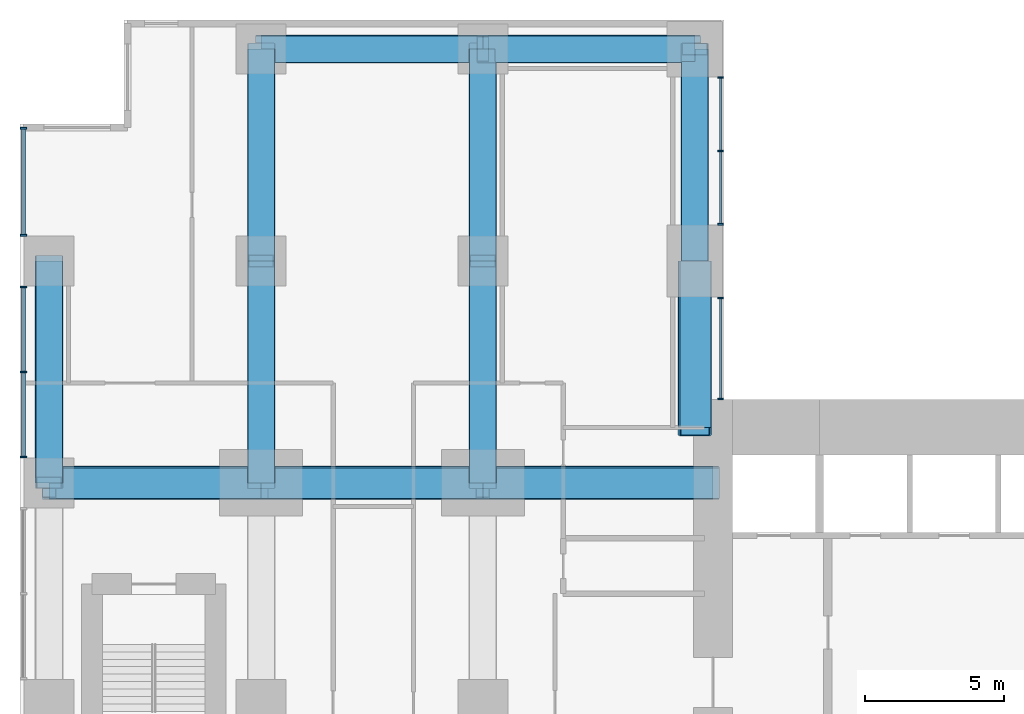
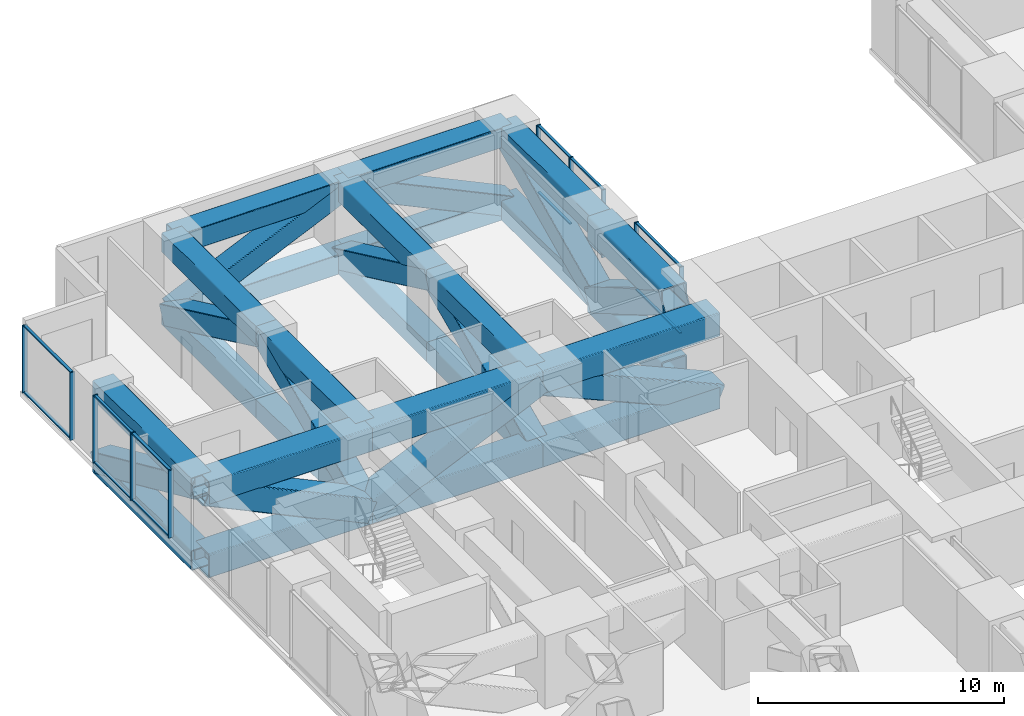
# One storey, part 5 of 14: 58 members, 4 elements without a shape of their own.
"""IFC4 building model written with IfcOpenShell, lengths in metres."""

from ifc_helpers import new_model, si_unit, direction, frame, origin, origin_2d, place, context, subcontext, project, spatial, rectangle, hollow_rectangle, extrude, material, layer, layer_set, material_profile, profile_set, type_object, element, aggregate, save


model = new_model("IFC4")

# Units and contexts
model_context = context("Model", 3, precision=1e-05, world=origin(), true_north=direction((0.0, 1.0)))
body_context = subcontext(model_context, "Body", "Model", "MODEL_VIEW")
ifc_project = project(units=[si_unit("LENGTHUNIT", "METRE"), si_unit("AREAUNIT", "SQUARE_METRE"), si_unit("VOLUMEUNIT", "CUBIC_METRE"), si_unit("PLANEANGLEUNIT", "RADIAN"), si_unit("MASSUNIT", "GRAM", prefix="KILO")], contexts=[model_context])

# Site, building, storey
site_placement = place(None, origin())
site = spatial("IfcSite", under=ifc_project, at=site_placement, CompositionType="ELEMENT")
building_placement = place(site_placement, origin())
building = spatial("IfcBuilding", under=site, at=building_placement, Name="Cleftline Residences", CompositionType="ELEMENT")
storey_placement = place(building_placement, frame((0.0, 0.0, 200.199951171875)))
storey = spatial("IfcBuildingStorey", under=building, at=storey_placement, Name="L52", CompositionType="ELEMENT", Elevation=200.199951171875)

# Members
ifc_material_1 = material(Name="Steel S355", Category="steel")
ifc_material_profile_1 = material_profile(ifc_material_1, hollow_rectangle(XDim=1.0, YDim=1.0, WallThickness=0.0400390625, InnerFilletRadius=0.0400390625, OuterFilletRadius=0.06005859375, at=origin_2d()))
ifc_profile_set_1 = profile_set([ifc_material_profile_1], Name="Steel S355")
member_type_1 = type_object("IfcMemberType", Name="BRACE BOX 1000X1000X40", PredefinedType="BRACE", material=ifc_profile_set_1)
for number, where, z_axis, x_axis, name in (
    (1, (0.35009765625, 32.0, 2.85009765625), (0.0, 0.91191733938, -0.410373934525), (0.0, 0.410373934525, 0.91191733938), "Belt truss diagonal"),
    (2, (8.0, 32.0, -0.75), (0.0, 0.91191733938, 0.410373934525), (0.0, -0.410373934525, 0.91191733938), "Belt truss diagonal"),
):
    element("IfcMember", number, at=place(storey_placement, frame(where, z_axis=z_axis, x_axis=x_axis)), inside=storey, type_object=member_type_1, Name=name, PredefinedType="BRACE", context=body_context, shape_type="SweptSolid", body=[
        extrude(hollow_rectangle(XDim=1.0, YDim=1.0, WallThickness=0.0400390625, InnerFilletRadius=0.0400390625, OuterFilletRadius=0.06005859375, at=origin_2d()), origin(), (0.0, 0.0, 1.0), 8.772705078125),
    ])
member_1_placement = place(storey_placement, frame((8.0, 40.0, 2.85009765625), z_axis=(0.0, 0.904812157874, -0.425810942746), x_axis=(0.0, 0.425810942746, 0.904812157874)))
element("IfcMember", 3, at=member_1_placement, inside=storey, type_object=member_type_1, Name="Belt truss diagonal", PredefinedType="BRACE", context=body_context, shape_type="SweptSolid", body=[
    extrude(hollow_rectangle(XDim=1.0, YDim=1.0, WallThickness=0.0400390625, InnerFilletRadius=0.0400390625, OuterFilletRadius=0.06005859375, at=origin_2d()), origin(), (0.0, 0.0, 1.0), 8.45458984375),
])
member_2_placement = place(storey_placement, frame((16.0, 32.0, -0.75), z_axis=(0.0, 0.91191733938, 0.410373934525), x_axis=(0.0, -0.410373934525, 0.91191733938)))
element("IfcMember", 4, at=member_2_placement, inside=storey, type_object=member_type_1, Name="Belt truss diagonal", PredefinedType="BRACE", context=body_context, shape_type="SweptSolid", body=[
    extrude(hollow_rectangle(XDim=1.0, YDim=1.0, WallThickness=0.0400390625, InnerFilletRadius=0.0400390625, OuterFilletRadius=0.06005859375, at=origin_2d()), origin(), (0.0, 0.0, 1.0), 8.772705078125),
])
for number, where, z_axis, x_axis, name in (
    (5, (16.0, 40.0, 2.85009765625), (0.0, 0.904812157874, -0.425810942746), (0.0, 0.425810942746, 0.904812157874), "Belt truss diagonal"),
    (6, (23.64990234375, 40.0, -0.75), (0.0, 0.904812157874, 0.425810942746), (0.0, -0.425810942746, 0.904812157874), "Belt truss diagonal"),
):
    element("IfcMember", number, at=place(storey_placement, frame(where, z_axis=z_axis, x_axis=x_axis)), inside=storey, type_object=member_type_1, Name=name, PredefinedType="BRACE", context=body_context, shape_type="SweptSolid", body=[
        extrude(hollow_rectangle(XDim=1.0, YDim=1.0, WallThickness=0.0400390625, InnerFilletRadius=0.0400390625, OuterFilletRadius=0.06005859375, at=origin_2d()), origin(), (0.0, 0.0, 1.0), 8.45458984375),
    ])
member_3_placement = place(storey_placement, frame((8.0, 47.64990234375, -0.75), z_axis=(0.91191733938, 0.0, 0.410373934525), x_axis=(-0.410373934525, 0.0, 0.91191733938)))
element("IfcMember", 7, at=member_3_placement, inside=storey, type_object=member_type_1, Name="Belt truss diagonal", PredefinedType="BRACE", context=body_context, shape_type="SweptSolid", body=[
    extrude(hollow_rectangle(XDim=1.0, YDim=1.0, WallThickness=0.0400390625, InnerFilletRadius=0.0400390625, OuterFilletRadius=0.06005859375, at=origin_2d()), origin(), (0.0, 0.0, 1.0), 8.772705078125),
])
member_4_placement = place(storey_placement, frame((16.0, 47.64990234375, 2.85009765625), z_axis=(0.904812157874, 0.0, -0.425810942746), x_axis=(0.425810942746, 0.0, 0.904812157874)))
element("IfcMember", 8, at=member_4_placement, inside=storey, type_object=member_type_1, Name="Belt truss diagonal", PredefinedType="BRACE", context=body_context, shape_type="SweptSolid", body=[
    extrude(hollow_rectangle(XDim=1.0, YDim=1.0, WallThickness=0.0400390625, InnerFilletRadius=0.0400390625, OuterFilletRadius=0.06005859375, at=origin_2d()), origin(), (0.0, 0.0, 1.0), 8.45458984375),
])
ifc_material_2 = material(Name="Steel S355", Category="steel")
ifc_material_profile_2 = material_profile(ifc_material_2, hollow_rectangle(XDim=1.199951171875, YDim=1.199951171875, WallThickness=0.06005859375, InnerFilletRadius=0.06005859375, OuterFilletRadius=0.090087890625, at=origin_2d()))
ifc_profile_set_2 = profile_set([ifc_material_profile_2], Name="Steel S355")
member_type_2 = type_object("IfcMemberType", Name="BRACE BOX 1200X1200X60", PredefinedType="BRACE", material=ifc_profile_set_2)
member_5_placement = place(storey_placement, frame((24.300048828125, 32.0, -0.849853515625), z_axis=(-0.917427920438, 0.0, 0.397902011556), x_axis=(0.397902011556, 0.0, 0.917427920438)))
element("IfcMember", 9, at=member_5_placement, inside=storey, type_object=member_type_2, Name="Outrigger truss diagonal", PredefinedType="BRACE", context=body_context, shape_type="SweptSolid", body=[
    extrude(hollow_rectangle(XDim=1.199951171875, YDim=1.199951171875, WallThickness=0.06005859375, InnerFilletRadius=0.06005859375, OuterFilletRadius=0.090087890625, at=origin_2d()), origin(), (0.0, 0.0, 1.0), 9.047119140625),
])
member_6_placement = place(storey_placement, frame((16.0, 32.0, 2.75), z_axis=(-0.911927753762, 0.0, -0.410350791297), x_axis=(-0.410350791297, 0.0, 0.911927753762)))
element("IfcMember", 10, at=member_6_placement, inside=storey, type_object=member_type_2, Name="Outrigger truss diagonal", PredefinedType="BRACE", context=body_context, shape_type="SweptSolid", body=[
    extrude(hollow_rectangle(XDim=1.199951171875, YDim=1.199951171875, WallThickness=0.06005859375, InnerFilletRadius=0.06005859375, OuterFilletRadius=0.090087890625, at=origin_2d()), origin(), (0.0, 0.0, 1.0), 8.772705078125),
])
member_7_placement = place(storey_placement, frame((8.0, 32.0, -0.849853515625), z_axis=(-0.904823283159, 0.0, 0.425787301659), x_axis=(0.425787301659, 0.0, 0.904823283159)))
element("IfcMember", 11, at=member_7_placement, inside=storey, type_object=member_type_2, Name="Outrigger truss diagonal", PredefinedType="BRACE", context=body_context, shape_type="SweptSolid", body=[
    extrude(hollow_rectangle(XDim=1.199951171875, YDim=1.199951171875, WallThickness=0.06005859375, InnerFilletRadius=0.06005859375, OuterFilletRadius=0.090087890625, at=origin_2d()), origin(), (0.0, 0.0, 1.0), 8.45458984375),
])
member_8_placement = place(storey_placement, frame((23.64990234375, 40.0, -0.849853515625), z_axis=(0.0, -0.857502161653, 0.51448036188), x_axis=(0.0, 0.51448036188, 0.857502161653)))
element("IfcMember", 12, at=member_8_placement, inside=storey, type_object=member_type_2, Name="Outrigger truss diagonal", PredefinedType="BRACE", context=body_context, shape_type="SweptSolid", body=[
    extrude(hollow_rectangle(XDim=1.199951171875, YDim=1.199951171875, WallThickness=0.06005859375, InnerFilletRadius=0.06005859375, OuterFilletRadius=0.090087890625, at=origin_2d()), origin(), (0.0, 0.0, 1.0), 6.9970703125),
])
ifc_material_3 = material(Name="Steel S355", Category="steel")
ifc_material_profile_3 = material_profile(ifc_material_3, hollow_rectangle(XDim=1.0, YDim=1.0, WallThickness=0.0400390625, InnerFilletRadius=0.0400390625, OuterFilletRadius=0.06005859375, at=origin_2d()))
ifc_profile_set_3 = profile_set([ifc_material_profile_3], Name="Steel S355")
member_type_3 = type_object("IfcMemberType", Name="CHORD BOX 1000X1000X40", PredefinedType="CHORD", material=ifc_profile_set_3)
for number, where, z_axis, x_axis, name in (
    (13, (0.35009765625, 32.0, -0.75), (0.0, 1.0, 0.0), (-1.0, 0.0, 0.0), "Belt truss bottom chord"),
    (14, (0.35009765625, 32.0, 2.85009765625), (0.0, 1.0, 0.0), (-1.0, 0.0, 0.0), "Belt truss top chord"),
    (15, (8.0, 32.0, -0.75), (0.0, 1.0, 0.0), (-1.0, 0.0, 0.0), "Belt truss bottom chord"),
    (16, (8.0, 32.0, 2.85009765625), (0.0, 1.0, 0.0), (-1.0, 0.0, 0.0), "Belt truss top chord"),
):
    element("IfcMember", number, at=place(storey_placement, frame(where, z_axis=z_axis, x_axis=x_axis)), inside=storey, type_object=member_type_3, Name=name, PredefinedType="CHORD", context=body_context, shape_type="SweptSolid", body=[
        extrude(hollow_rectangle(XDim=1.0, YDim=1.0, WallThickness=0.0400390625, InnerFilletRadius=0.0400390625, OuterFilletRadius=0.06005859375, at=origin_2d()), origin(), (0.0, 0.0, 1.0), 8.0),
    ])
for number, where, z_axis, x_axis, name in (
    (17, (8.0, 40.0, -0.75), (0.0, 1.0, 0.0), (-1.0, 0.0, 0.0), "Belt truss bottom chord"),
    (18, (8.0, 40.0, 2.85009765625), (0.0, 1.0, 0.0), (-1.0, 0.0, 0.0), "Belt truss top chord"),
):
    element("IfcMember", number, at=place(storey_placement, frame(where, z_axis=z_axis, x_axis=x_axis)), inside=storey, type_object=member_type_3, Name=name, PredefinedType="CHORD", context=body_context, shape_type="SweptSolid", body=[
        extrude(hollow_rectangle(XDim=1.0, YDim=1.0, WallThickness=0.0400390625, InnerFilletRadius=0.0400390625, OuterFilletRadius=0.06005859375, at=origin_2d()), origin(), (0.0, 0.0, 1.0), 7.64990234375),
    ])
for number, where, z_axis, x_axis, name in (
    (19, (16.0, 32.0, -0.75), (0.0, 1.0, 0.0), (-1.0, 0.0, 0.0), "Belt truss bottom chord"),
    (20, (16.0, 32.0, 2.85009765625), (0.0, 1.0, 0.0), (-1.0, 0.0, 0.0), "Belt truss top chord"),
):
    element("IfcMember", number, at=place(storey_placement, frame(where, z_axis=z_axis, x_axis=x_axis)), inside=storey, type_object=member_type_3, Name=name, PredefinedType="CHORD", context=body_context, shape_type="SweptSolid", body=[
        extrude(hollow_rectangle(XDim=1.0, YDim=1.0, WallThickness=0.0400390625, InnerFilletRadius=0.0400390625, OuterFilletRadius=0.06005859375, at=origin_2d()), origin(), (0.0, 0.0, 1.0), 8.0),
    ])
for number, where, z_axis, x_axis, name in (
    (21, (16.0, 40.0, -0.75), (0.0, 1.0, 0.0), (-1.0, 0.0, 0.0), "Belt truss bottom chord"),
    (22, (16.0, 40.0, 2.85009765625), (0.0, 1.0, 0.0), (-1.0, 0.0, 0.0), "Belt truss top chord"),
    (23, (23.64990234375, 40.0, -0.75), (0.0, 1.0, 0.0), (-1.0, 0.0, 0.0), "Belt truss bottom chord"),
    (24, (23.64990234375, 40.0, 2.85009765625), (0.0, 1.0, 0.0), (-1.0, 0.0, 0.0), "Belt truss top chord"),
):
    element("IfcMember", number, at=place(storey_placement, frame(where, z_axis=z_axis, x_axis=x_axis)), inside=storey, type_object=member_type_3, Name=name, PredefinedType="CHORD", context=body_context, shape_type="SweptSolid", body=[
        extrude(hollow_rectangle(XDim=1.0, YDim=1.0, WallThickness=0.0400390625, InnerFilletRadius=0.0400390625, OuterFilletRadius=0.06005859375, at=origin_2d()), origin(), (0.0, 0.0, 1.0), 7.64990234375),
    ])
for number, where, z_axis, x_axis, name in (
    (25, (8.0, 47.64990234375, -0.75), (1.0, 0.0, 0.0), (0.0, 1.0, 0.0), "Belt truss bottom chord"),
    (26, (8.0, 47.64990234375, 2.85009765625), (1.0, 0.0, 0.0), (0.0, 1.0, 0.0), "Belt truss top chord"),
):
    element("IfcMember", number, at=place(storey_placement, frame(where, z_axis=z_axis, x_axis=x_axis)), inside=storey, type_object=member_type_3, Name=name, PredefinedType="CHORD", context=body_context, shape_type="SweptSolid", body=[
        extrude(hollow_rectangle(XDim=1.0, YDim=1.0, WallThickness=0.0400390625, InnerFilletRadius=0.0400390625, OuterFilletRadius=0.06005859375, at=origin_2d()), origin(), (0.0, 0.0, 1.0), 8.0),
    ])
for number, where, z_axis, x_axis, name in (
    (27, (16.0, 47.64990234375, -0.75), (1.0, 0.0, 0.0), (0.0, 1.0, 0.0), "Belt truss bottom chord"),
    (28, (16.0, 47.64990234375, 2.85009765625), (1.0, 0.0, 0.0), (0.0, 1.0, 0.0), "Belt truss top chord"),
):
    element("IfcMember", number, at=place(storey_placement, frame(where, z_axis=z_axis, x_axis=x_axis)), inside=storey, type_object=member_type_3, Name=name, PredefinedType="CHORD", context=body_context, shape_type="SweptSolid", body=[
        extrude(hollow_rectangle(XDim=1.0, YDim=1.0, WallThickness=0.0400390625, InnerFilletRadius=0.0400390625, OuterFilletRadius=0.06005859375, at=origin_2d()), origin(), (0.0, 0.0, 1.0), 7.64990234375),
    ])
ifc_material_4 = material(Name="Steel S355", Category="steel")
ifc_material_profile_4 = material_profile(ifc_material_4, hollow_rectangle(XDim=1.199951171875, YDim=1.199951171875, WallThickness=0.06005859375, InnerFilletRadius=0.06005859375, OuterFilletRadius=0.090087890625, at=origin_2d()))
ifc_profile_set_4 = profile_set([ifc_material_profile_4], Name="Steel S355")
member_type_4 = type_object("IfcMemberType", Name="CHORD BOX 1200X1200X60", PredefinedType="CHORD", material=ifc_profile_set_4)
for number, where, z_axis, x_axis, name in (
    (29, (24.300048828125, 32.0, -0.849853515625), (-1.0, 0.0, 0.0), (0.0, -1.0, 0.0), "Outrigger truss bottom chord"),
    (30, (24.300048828125, 32.0, 2.75), (-1.0, 0.0, 0.0), (0.0, -1.0, 0.0), "Outrigger truss top chord"),
):
    element("IfcMember", number, at=place(storey_placement, frame(where, z_axis=z_axis, x_axis=x_axis)), inside=storey, type_object=member_type_4, Name=name, PredefinedType="CHORD", context=body_context, shape_type="SweptSolid", body=[
        extrude(hollow_rectangle(XDim=1.199951171875, YDim=1.199951171875, WallThickness=0.06005859375, InnerFilletRadius=0.06005859375, OuterFilletRadius=0.090087890625, at=origin_2d()), origin(), (0.0, 0.0, 1.0), 8.300048828125),
    ])
for number, where, z_axis, x_axis, name in (
    (31, (16.0, 32.0, -0.849853515625), (-1.0, 0.0, 0.0), (0.0, -1.0, 0.0), "Outrigger truss bottom chord"),
    (32, (16.0, 32.0, 2.75), (-1.0, 0.0, 0.0), (0.0, -1.0, 0.0), "Outrigger truss top chord"),
):
    element("IfcMember", number, at=place(storey_placement, frame(where, z_axis=z_axis, x_axis=x_axis)), inside=storey, type_object=member_type_4, Name=name, PredefinedType="CHORD", context=body_context, shape_type="SweptSolid", body=[
        extrude(hollow_rectangle(XDim=1.199951171875, YDim=1.199951171875, WallThickness=0.06005859375, InnerFilletRadius=0.06005859375, OuterFilletRadius=0.090087890625, at=origin_2d()), origin(), (0.0, 0.0, 1.0), 8.0),
    ])
for number, where, z_axis, x_axis, name in (
    (33, (8.0, 32.0, -0.849853515625), (-1.0, 0.0, 0.0), (0.0, -1.0, 0.0), "Outrigger truss bottom chord"),
    (34, (8.0, 32.0, 2.75), (-1.0, 0.0, 0.0), (0.0, -1.0, 0.0), "Outrigger truss top chord"),
):
    element("IfcMember", number, at=place(storey_placement, frame(where, z_axis=z_axis, x_axis=x_axis)), inside=storey, type_object=member_type_4, Name=name, PredefinedType="CHORD", context=body_context, shape_type="SweptSolid", body=[
        extrude(hollow_rectangle(XDim=1.199951171875, YDim=1.199951171875, WallThickness=0.06005859375, InnerFilletRadius=0.06005859375, OuterFilletRadius=0.090087890625, at=origin_2d()), origin(), (0.0, 0.0, 1.0), 7.64990234375),
    ])
for number, where, z_axis, x_axis, name in (
    (35, (23.64990234375, 40.0, -0.849853515625), (0.0, -1.0, 0.0), (1.0, 0.0, 0.0), "Outrigger truss bottom chord"),
    (36, (23.64990234375, 40.0, 2.75), (0.0, -1.0, 0.0), (1.0, 0.0, 0.0), "Outrigger truss top chord"),
):
    element("IfcMember", number, at=place(storey_placement, frame(where, z_axis=z_axis, x_axis=x_axis)), inside=storey, type_object=member_type_4, Name=name, PredefinedType="CHORD", context=body_context, shape_type="SweptSolid", body=[
        extrude(hollow_rectangle(XDim=1.199951171875, YDim=1.199951171875, WallThickness=0.06005859375, InnerFilletRadius=0.06005859375, OuterFilletRadius=0.090087890625, at=origin_2d()), origin(), (0.0, 0.0, 1.0), 6.0),
    ])

# Curtain wall, members
ifc_material_5 = material(Name="Aluminium framed curtain wall", Category="aluminium")
ifc_layer_1 = layer(ifc_material_5, 0.199951171875)
ifc_layer_set_1 = layer_set([ifc_layer_1], Name="CW1 CLEFT GLAZING")
curtain_wall_type_1 = type_object("IfcCurtainWallType", Name="CW1 CLEFT GLAZING", PredefinedType="NOTDEFINED", material=ifc_layer_set_1)
curtain_wall_1_placement = place(storey_placement, origin())
curtain_wall_1 = element("IfcCurtainWall", 37, at=curtain_wall_1_placement, inside=storey, type_object=curtain_wall_type_1, Name="Curtain wall CW1", PredefinedType="NOTDEFINED")
ifc_material_6 = material(Name="Aluminium mullion", Category="aluminium")
ifc_material_profile_5 = material_profile(ifc_material_6, rectangle(XDim=0.199951171875, YDim=0.06005859375, at=origin_2d()))
ifc_profile_set_5 = profile_set([ifc_material_profile_5], Name="Aluminium mullion")
member_type_5 = type_object("IfcMemberType", Name="CW1 MULLION", PredefinedType="MULLION", material=ifc_profile_set_5)
member_9_placement = place(storey_placement, frame((24.574951171875, 35.030029296875, 0.0), z_axis=(0.0, 0.0, 1.0), x_axis=(-1.0, 0.0, 0.0)))
member_9 = element("IfcMember", 38, at=member_9_placement, type_object=member_type_5, Name="CW1 mullion 1", PredefinedType="MULLION", context=body_context, shape_type="SweptSolid", body=[
    extrude(rectangle(XDim=0.199951171875, YDim=0.06005859375, at=origin_2d()), origin(), (0.0, 0.0, 1.0), 3.35009765625),
])
member_10_placement = place(storey_placement, frame((24.574951171875, 38.669921875, 0.0), z_axis=(0.0, 0.0, 1.0), x_axis=(-1.0, 0.0, 0.0)))
member_10 = element("IfcMember", 39, at=member_10_placement, type_object=member_type_5, Name="CW1 mullion 2", PredefinedType="MULLION", context=body_context, shape_type="SweptSolid", body=[
    extrude(rectangle(XDim=0.199951171875, YDim=0.06005859375, at=origin_2d()), origin(), (0.0, 0.0, 1.0), 3.35009765625),
])

curtain_wall_2_placement = place(storey_placement, origin())
curtain_wall_2 = element("IfcCurtainWall", 40, at=curtain_wall_2_placement, inside=storey, type_object=curtain_wall_type_1, Name="Curtain wall CW1", PredefinedType="NOTDEFINED")
member_11_placement = place(storey_placement, frame((24.574951171875, 41.330078125, 0.0), z_axis=(0.0, 0.0, 1.0), x_axis=(-1.0, 0.0, 0.0)))
member_11 = element("IfcMember", 41, at=member_11_placement, type_object=member_type_5, Name="CW1 mullion 1", PredefinedType="MULLION", context=body_context, shape_type="SweptSolid", body=[
    extrude(rectangle(XDim=0.199951171875, YDim=0.06005859375, at=origin_2d()), origin(), (0.0, 0.0, 1.0), 3.35009765625),
])
member_12_placement = place(storey_placement, frame((24.574951171875, 43.97509765625, 0.0), z_axis=(0.0, 0.0, 1.0), x_axis=(-1.0, 0.0, 0.0)))
member_12 = element("IfcMember", 42, at=member_12_placement, type_object=member_type_5, Name="CW1 mullion 2", PredefinedType="MULLION", context=body_context, shape_type="SweptSolid", body=[
    extrude(rectangle(XDim=0.199951171875, YDim=0.06005859375, at=origin_2d()), origin(), (0.0, 0.0, 1.0), 3.35009765625),
])
member_13_placement = place(storey_placement, frame((24.574951171875, 46.6201171875, 0.0), z_axis=(0.0, 0.0, 1.0), x_axis=(-1.0, 0.0, 0.0)))
member_13 = element("IfcMember", 43, at=member_13_placement, type_object=member_type_5, Name="CW1 mullion 3", PredefinedType="MULLION", context=body_context, shape_type="SweptSolid", body=[
    extrude(rectangle(XDim=0.199951171875, YDim=0.06005859375, at=origin_2d()), origin(), (0.0, 0.0, 1.0), 3.35009765625),
])

# Member
ifc_material_7 = material(Name="Aluminium transom", Category="aluminium")
ifc_material_profile_6 = material_profile(ifc_material_7, rectangle(XDim=0.1201171875, YDim=0.06005859375, at=origin_2d()))
ifc_profile_set_6 = profile_set([ifc_material_profile_6], Name="Aluminium transom")
member_type_6 = type_object("IfcMemberType", Name="CW1 TRANSOM", PredefinedType="USERDEFINED", material=ifc_profile_set_6)
member_14_placement = place(storey_placement, frame((24.574951171875, 35.06005859375, 0.030029296875), z_axis=(0.0, 1.0, 0.0), x_axis=(-1.0, 0.0, 0.0)))
member_14 = element("IfcMember", 44, at=member_14_placement, type_object=member_type_6, Name="CW1 transom 1.1", ObjectType="TRANSOM", PredefinedType="USERDEFINED", context=body_context, shape_type="SweptSolid", body=[
    extrude(rectangle(XDim=0.1201171875, YDim=0.06005859375, at=origin_2d()), origin(), (0.0, 0.0, 1.0), 3.579833984375),
])

member_15_placement = place(storey_placement, frame((24.574951171875, 35.06005859375, 3.320068359375), z_axis=(0.0, 1.0, 0.0), x_axis=(-1.0, 0.0, 0.0)))
member_15 = element("IfcMember", 45, at=member_15_placement, type_object=member_type_6, Name="CW1 transom 1.2", ObjectType="TRANSOM", PredefinedType="USERDEFINED", context=body_context, shape_type="SweptSolid", body=[
    extrude(rectangle(XDim=0.1201171875, YDim=0.06005859375, at=origin_2d()), origin(), (0.0, 0.0, 1.0), 3.579833984375),
])

aggregate(curtain_wall_1, [member_9, member_10, member_14, member_15])

member_16_placement = place(storey_placement, frame((24.574951171875, 41.360107421875, 0.030029296875), z_axis=(0.0, 1.0, 0.0), x_axis=(-1.0, 0.0, 0.0)))
member_16 = element("IfcMember", 46, at=member_16_placement, type_object=member_type_6, Name="CW1 transom 1.1", ObjectType="TRANSOM", PredefinedType="USERDEFINED", context=body_context, shape_type="SweptSolid", body=[
    extrude(rectangle(XDim=0.1201171875, YDim=0.06005859375, at=origin_2d()), origin(), (0.0, 0.0, 1.0), 2.5849609375),
])

member_17_placement = place(storey_placement, frame((24.574951171875, 41.360107421875, 3.320068359375), z_axis=(0.0, 1.0, 0.0), x_axis=(-1.0, 0.0, 0.0)))
member_17 = element("IfcMember", 47, at=member_17_placement, type_object=member_type_6, Name="CW1 transom 1.2", ObjectType="TRANSOM", PredefinedType="USERDEFINED", context=body_context, shape_type="SweptSolid", body=[
    extrude(rectangle(XDim=0.1201171875, YDim=0.06005859375, at=origin_2d()), origin(), (0.0, 0.0, 1.0), 2.5849609375),
])

member_18_placement = place(storey_placement, frame((24.574951171875, 44.0048828125, 0.030029296875), z_axis=(0.0, 1.0, 0.0), x_axis=(-1.0, 0.0, 0.0)))
member_18 = element("IfcMember", 48, at=member_18_placement, type_object=member_type_6, Name="CW1 transom 2.1", ObjectType="TRANSOM", PredefinedType="USERDEFINED", context=body_context, shape_type="SweptSolid", body=[
    extrude(rectangle(XDim=0.1201171875, YDim=0.06005859375, at=origin_2d()), origin(), (0.0, 0.0, 1.0), 2.585205078125),
])

member_19_placement = place(storey_placement, frame((24.574951171875, 44.0048828125, 3.320068359375), z_axis=(0.0, 1.0, 0.0), x_axis=(-1.0, 0.0, 0.0)))
member_19 = element("IfcMember", 49, at=member_19_placement, type_object=member_type_6, Name="CW1 transom 2.2", ObjectType="TRANSOM", PredefinedType="USERDEFINED", context=body_context, shape_type="SweptSolid", body=[
    extrude(rectangle(XDim=0.1201171875, YDim=0.06005859375, at=origin_2d()), origin(), (0.0, 0.0, 1.0), 2.585205078125),
])

aggregate(curtain_wall_2, [member_11, member_12, member_13, member_16, member_17, member_18, member_19])

# Curtain wall, members
ifc_material_8 = material(Name="Aluminium framed curtain wall", Category="aluminium")
ifc_layer_2 = layer(ifc_material_8, 0.199951171875)
ifc_layer_set_2 = layer_set([ifc_layer_2], Name="CW4 SKY LOUNGE GLAZING")
curtain_wall_type_2 = type_object("IfcCurtainWallType", Name="CW4 SKY LOUNGE GLAZING", PredefinedType="NOTDEFINED", material=ifc_layer_set_2)
curtain_wall_3_placement = place(storey_placement, origin())
curtain_wall_3 = element("IfcCurtainWall", 50, at=curtain_wall_3_placement, inside=storey, type_object=curtain_wall_type_2, Name="Curtain wall CW4", PredefinedType="NOTDEFINED")
ifc_material_9 = material(Name="Aluminium mullion", Category="aluminium")
ifc_material_profile_7 = material_profile(ifc_material_9, rectangle(XDim=0.219970703125, YDim=0.06494140625, at=origin_2d()))
ifc_profile_set_7 = profile_set([ifc_material_profile_7], Name="Aluminium mullion")
member_type_7 = type_object("IfcMemberType", Name="CW4 MULLION", PredefinedType="MULLION", material=ifc_profile_set_7)
member_20_placement = place(storey_placement, frame((-0.574951171875, 44.79248046875, 0.0), z_axis=(0.0, 0.0, 1.0), x_axis=(1.0, 0.0, 0.0)))
member_20 = element("IfcMember", 51, at=member_20_placement, type_object=member_type_7, Name="CW4 mullion 1", PredefinedType="MULLION", context=body_context, shape_type="SweptSolid", body=[
    extrude(rectangle(XDim=0.219970703125, YDim=0.06494140625, at=origin_2d()), origin(), (0.0, 0.0, 1.0), 3.35009765625),
])
member_21_placement = place(storey_placement, frame((-0.574951171875, 40.9326171875, 0.0), z_axis=(0.0, 0.0, 1.0), x_axis=(1.0, 0.0, 0.0)))
member_21 = element("IfcMember", 52, at=member_21_placement, type_object=member_type_7, Name="CW4 mullion 2", PredefinedType="MULLION", context=body_context, shape_type="SweptSolid", body=[
    extrude(rectangle(XDim=0.219970703125, YDim=0.06494140625, at=origin_2d()), origin(), (0.0, 0.0, 1.0), 3.35009765625),
])

curtain_wall_4_placement = place(storey_placement, origin())
curtain_wall_4 = element("IfcCurtainWall", 53, at=curtain_wall_4_placement, inside=storey, type_object=curtain_wall_type_2, Name="Curtain wall CW4", PredefinedType="NOTDEFINED")
member_22_placement = place(storey_placement, frame((-0.574951171875, 39.0673828125, 0.0), z_axis=(0.0, 0.0, 1.0), x_axis=(1.0, 0.0, 0.0)))
member_22 = element("IfcMember", 54, at=member_22_placement, type_object=member_type_7, Name="CW4 mullion 1", PredefinedType="MULLION", context=body_context, shape_type="SweptSolid", body=[
    extrude(rectangle(XDim=0.219970703125, YDim=0.06494140625, at=origin_2d()), origin(), (0.0, 0.0, 1.0), 3.35009765625),
])
member_23_placement = place(storey_placement, frame((-0.574951171875, 36.0, 0.0), z_axis=(0.0, 0.0, 1.0), x_axis=(1.0, 0.0, 0.0)))
member_23 = element("IfcMember", 55, at=member_23_placement, type_object=member_type_7, Name="CW4 mullion 2", PredefinedType="MULLION", context=body_context, shape_type="SweptSolid", body=[
    extrude(rectangle(XDim=0.219970703125, YDim=0.06494140625, at=origin_2d()), origin(), (0.0, 0.0, 1.0), 3.35009765625),
])
member_24_placement = place(storey_placement, frame((-0.574951171875, 32.9326171875, 0.0), z_axis=(0.0, 0.0, 1.0), x_axis=(1.0, 0.0, 0.0)))
member_24 = element("IfcMember", 56, at=member_24_placement, type_object=member_type_7, Name="CW4 mullion 3", PredefinedType="MULLION", context=body_context, shape_type="SweptSolid", body=[
    extrude(rectangle(XDim=0.219970703125, YDim=0.06494140625, at=origin_2d()), origin(), (0.0, 0.0, 1.0), 3.35009765625),
])

# Member
ifc_material_10 = material(Name="Aluminium transom", Category="aluminium")
ifc_material_profile_8 = material_profile(ifc_material_10, rectangle(XDim=0.132080078125, YDim=0.06494140625, at=origin_2d()))
ifc_profile_set_8 = profile_set([ifc_material_profile_8], Name="Aluminium transom")
member_type_8 = type_object("IfcMemberType", Name="CW4 TRANSOM", PredefinedType="USERDEFINED", material=ifc_profile_set_8)
member_25_placement = place(storey_placement, frame((-0.574951171875, 44.760009765625, 0.032470703125), z_axis=(0.0, -1.0, 0.0), x_axis=(1.0, 0.0, 0.0)))
member_25 = element("IfcMember", 57, at=member_25_placement, type_object=member_type_8, Name="CW4 transom 1.1", ObjectType="TRANSOM", PredefinedType="USERDEFINED", context=body_context, shape_type="SweptSolid", body=[
    extrude(rectangle(XDim=0.132080078125, YDim=0.06494140625, at=origin_2d()), origin(), (0.0, 0.0, 1.0), 3.794921875),
])

member_26_placement = place(storey_placement, frame((-0.574951171875, 44.760009765625, 3.317626953125), z_axis=(0.0, -1.0, 0.0), x_axis=(1.0, 0.0, 0.0)))
member_26 = element("IfcMember", 58, at=member_26_placement, type_object=member_type_8, Name="CW4 transom 1.2", ObjectType="TRANSOM", PredefinedType="USERDEFINED", context=body_context, shape_type="SweptSolid", body=[
    extrude(rectangle(XDim=0.132080078125, YDim=0.06494140625, at=origin_2d()), origin(), (0.0, 0.0, 1.0), 3.794921875),
])

aggregate(curtain_wall_3, [member_20, member_21, member_25, member_26])

member_27_placement = place(storey_placement, frame((-0.574951171875, 39.034912109375, 0.032470703125), z_axis=(0.0, -1.0, 0.0), x_axis=(1.0, 0.0, 0.0)))
member_27 = element("IfcMember", 59, at=member_27_placement, type_object=member_type_8, Name="CW4 transom 1.1", ObjectType="TRANSOM", PredefinedType="USERDEFINED", context=body_context, shape_type="SweptSolid", body=[
    extrude(rectangle(XDim=0.132080078125, YDim=0.06494140625, at=origin_2d()), origin(), (0.0, 0.0, 1.0), 3.00244140625),
])

member_28_placement = place(storey_placement, frame((-0.574951171875, 39.034912109375, 3.317626953125), z_axis=(0.0, -1.0, 0.0), x_axis=(1.0, 0.0, 0.0)))
member_28 = element("IfcMember", 60, at=member_28_placement, type_object=member_type_8, Name="CW4 transom 1.2", ObjectType="TRANSOM", PredefinedType="USERDEFINED", context=body_context, shape_type="SweptSolid", body=[
    extrude(rectangle(XDim=0.132080078125, YDim=0.06494140625, at=origin_2d()), origin(), (0.0, 0.0, 1.0), 3.00244140625),
])

member_29_placement = place(storey_placement, frame((-0.574951171875, 35.967529296875, 0.032470703125), z_axis=(0.0, -1.0, 0.0), x_axis=(1.0, 0.0, 0.0)))
member_29 = element("IfcMember", 61, at=member_29_placement, type_object=member_type_8, Name="CW4 transom 2.1", ObjectType="TRANSOM", PredefinedType="USERDEFINED", context=body_context, shape_type="SweptSolid", body=[
    extrude(rectangle(XDim=0.132080078125, YDim=0.06494140625, at=origin_2d()), origin(), (0.0, 0.0, 1.0), 3.00244140625),
])

member_30_placement = place(storey_placement, frame((-0.574951171875, 35.967529296875, 3.317626953125), z_axis=(0.0, -1.0, 0.0), x_axis=(1.0, 0.0, 0.0)))
member_30 = element("IfcMember", 62, at=member_30_placement, type_object=member_type_8, Name="CW4 transom 2.2", ObjectType="TRANSOM", PredefinedType="USERDEFINED", context=body_context, shape_type="SweptSolid", body=[
    extrude(rectangle(XDim=0.132080078125, YDim=0.06494140625, at=origin_2d()), origin(), (0.0, 0.0, 1.0), 3.00244140625),
])

aggregate(curtain_wall_4, [member_22, member_23, member_24, member_27, member_28, member_29, member_30])

save(model, "model.ifc")
